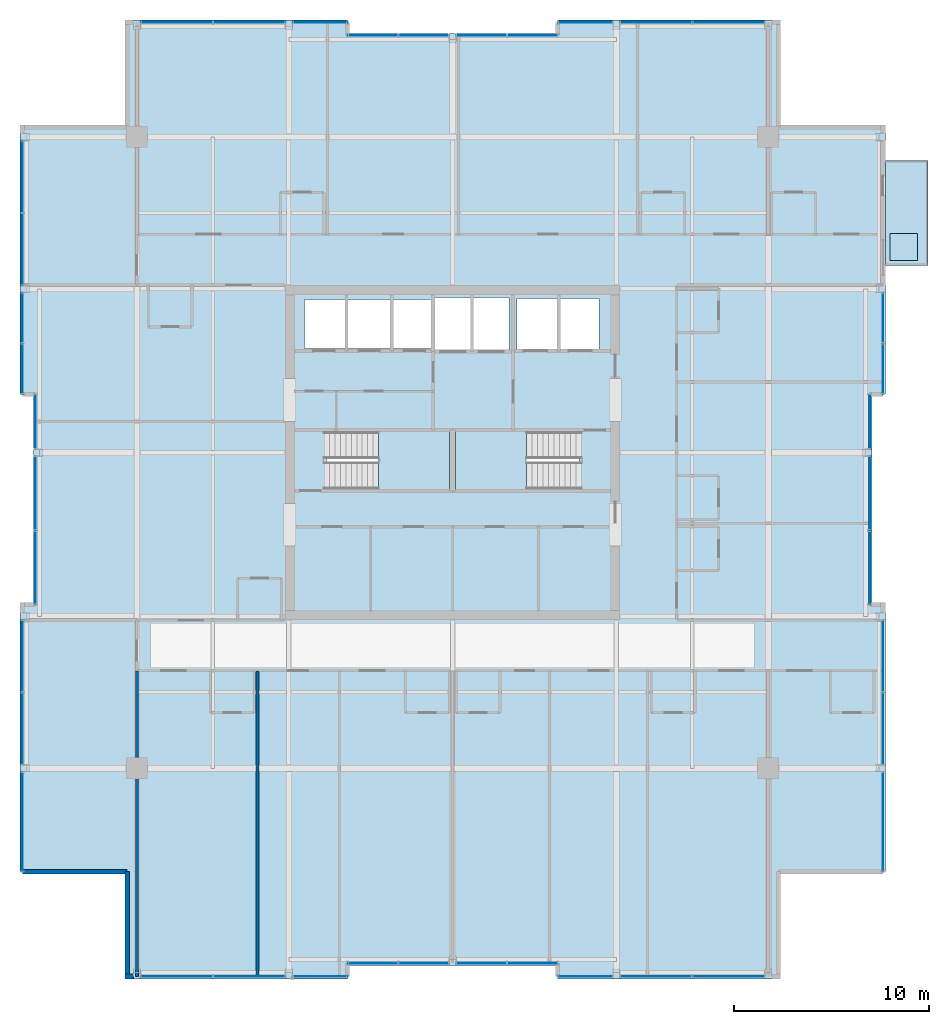
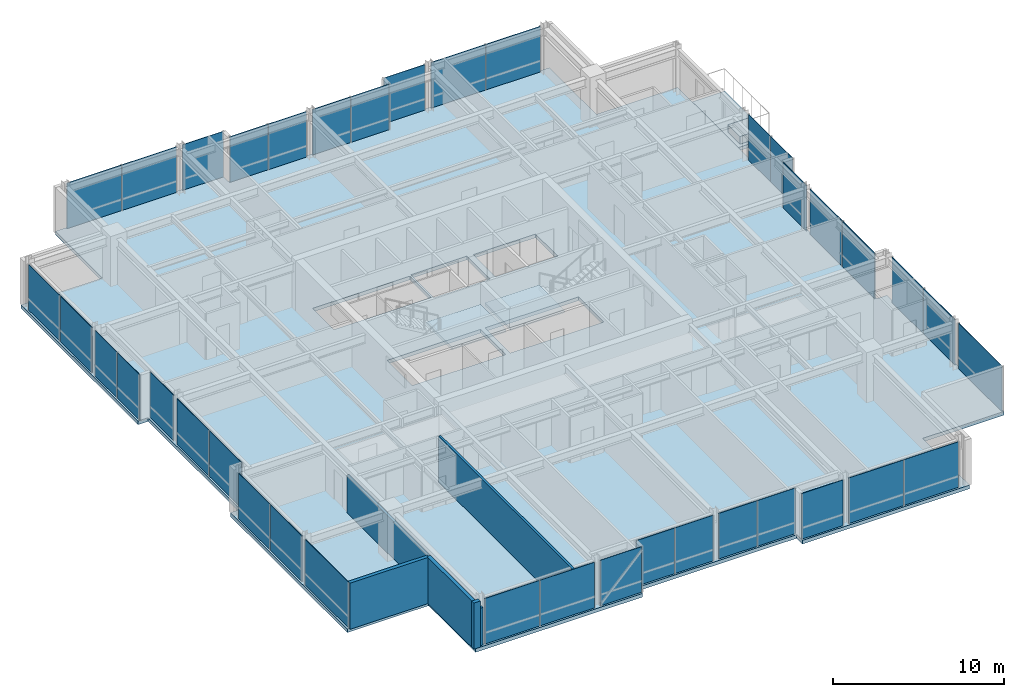
# One storey, part 27 of 34: 38 plates, 5 slabs, 5 walls, 25 elements without a shape of their own.
"""IFC4 building model written with IfcOpenShell, lengths in metres."""

from ifc_helpers import new_model, si_unit, direction, frame, frame_2d, origin, origin_2d, place, context, subcontext, project, spatial, polyline, rectangle, outline, extrude, material, layer, layer_set, type_object, element, aggregate, save


model = new_model("IFC4")

# Units and contexts
model_context = context("Model", 3, precision=1e-05, world=origin(), true_north=direction((0.0, 1.0)))
body_context = subcontext(model_context, "Body", "Model", "MODEL_VIEW")
ifc_project = project(units=[si_unit("LENGTHUNIT", "METRE"), si_unit("AREAUNIT", "SQUARE_METRE"), si_unit("VOLUMEUNIT", "CUBIC_METRE"), si_unit("PLANEANGLEUNIT", "RADIAN"), si_unit("MASSUNIT", "GRAM", prefix="KILO")], contexts=[model_context])

# Site, building, storey
site_placement = place(None, origin())
site = spatial("IfcSite", under=ifc_project, at=site_placement, CompositionType="ELEMENT")
building_placement = place(site_placement, origin())
building = spatial("IfcBuilding", under=site, at=building_placement, Name="Drelvath Grand Hotel", CompositionType="ELEMENT")
storey_placement = place(building_placement, frame((0.0, 0.0, 251.89990234375)))
storey = spatial("IfcBuildingStorey", under=building, at=storey_placement, Name="L66", CompositionType="ELEMENT", Elevation=251.89990234375)

# Slabs
ifc_material_1 = material(Name="Concrete f'c 40 MPa", Category="concrete")
ifc_layer_1 = layer(ifc_material_1, 0.239990234375)
ifc_layer_set_1 = layer_set([ifc_layer_1], Name="Concrete f'c 40 MPa")
slab_type_1 = type_object("IfcSlabType", Name="Cantilevered Tree Balcony Slab 240", PredefinedType="FLOOR", material=ifc_layer_set_1)
slab_1_placement = place(storey_placement, frame((0.0, 0.0, -0.239990234375)))
element("IfcSlab", 1, at=slab_1_placement, inside=storey, type_object=slab_type_1, Name="L66 Cantilevered Tree Balcony Slab 1", PredefinedType="FLOOR", context=body_context, shape_type="SweptSolid", body=[
    extrude(outline(polyline([(22.199951171875, 36.60009765625), (24.39990234375, 36.60009765625), (24.39990234375, 42.0), (22.199951171875, 42.0), (22.199951171875, 36.60009765625)])), origin(), (0.0, 0.0, 1.0), 0.239990234375),
])
ifc_layer_2 = layer(ifc_material_1, 0.260009765625)
ifc_layer_set_2 = layer_set([ifc_layer_2], Name="Concrete f'c 40 MPa")
slab_type_2 = type_object("IfcSlabType", Name="Composite RC Floor Slab 260", PredefinedType="FLOOR", material=ifc_layer_set_2)
slab_2_placement = place(storey_placement, frame((0.0, 0.0, -0.260009765625)))
element("IfcSlab", 2, at=slab_2_placement, inside=storey, type_object=slab_type_2, Name="L66 Structural Floor Slab", PredefinedType="FLOOR", context=body_context, shape_type="SweptSolid", body=[
    extrude(outline(polyline([(-16.699951171875, 0.0), (-5.39990234375, 0.0), (-5.39990234375, 0.679931640625), (5.39990234375, 0.679931640625), (5.39990234375, 0.0), (16.699951171875, 0.0), (16.699951171875, 5.5), (22.199951171875, 5.5), (22.199951171875, 19.199951171875), (21.52001953125, 19.199951171875), (21.52001953125, 30.0), (22.199951171875, 30.0), (22.199951171875, 43.699951171875), (16.699951171875, 43.699951171875), (16.699951171875, 49.199951171875), (5.39990234375, 49.199951171875), (5.39990234375, 48.52001953125), (-5.39990234375, 48.52001953125), (-5.39990234375, 49.199951171875), (-16.699951171875, 49.199951171875), (-16.699951171875, 43.699951171875), (-22.199951171875, 43.699951171875), (-22.199951171875, 30.0), (-21.52001953125, 30.0), (-21.52001953125, 19.199951171875), (-22.199951171875, 19.199951171875), (-22.199951171875, 5.5), (-16.699951171875, 5.5), (-16.699951171875, 0.0)]), holes=[polyline([(-6.47998046875, 25.1201171875), (-6.47998046875, 28.080078125), (-0.14990234375, 28.080078125), (-0.14990234375, 25.1201171875), (-6.47998046875, 25.1201171875)]), polyline([(0.14990234375, 25.1201171875), (0.14990234375, 28.080078125), (6.47998046875, 28.080078125), (6.47998046875, 25.1201171875), (0.14990234375, 25.1201171875)]), polyline([(-7.60009765625, 32.35009765625), (-7.60009765625, 34.85009765625), (-1.02001953125, 34.85009765625), (-1.02001953125, 32.35009765625), (-7.60009765625, 32.35009765625)]), polyline([(-0.89990234375, 32.25), (-0.89990234375, 34.949951171875), (2.89990234375, 34.949951171875), (2.89990234375, 32.25), (-0.89990234375, 32.25)]), polyline([(3.300048828125, 32.300048828125), (3.300048828125, 34.89990234375), (7.5, 34.89990234375), (7.5, 32.300048828125), (3.300048828125, 32.300048828125)])]), origin(), (0.0, 0.0, 1.0), 0.260009765625),
])

# Stair, slab
ifc_material_2 = material(Name="Concrete C40/50", Category="concrete")
stair_type = type_object("IfcStairType", Name="Dogleg Exit Stair W1400-R163.6", PredefinedType="HALF_TURN_STAIR", material=ifc_material_2)
stair_1_placement = place(storey_placement, origin())
stair_1 = element("IfcStair", 3, at=stair_1_placement, inside=storey, type_object=stair_type, Name="L66 Core Exit Stair ST-1", PredefinedType="HALF_TURN_STAIR")
ifc_layer_3 = layer(ifc_material_2, 0.199951171875)
ifc_layer_set_3 = layer_set([ifc_layer_3], Name="Concrete C40/50")
slab_type_3 = type_object("IfcSlabType", Name="Concrete Stair Landing Slab 200", PredefinedType="LANDING", material=ifc_layer_set_3)
slab_3_placement = place(storey_placement, frame((0.0, 0.0, 1.60009765625)))
slab_3 = element("IfcSlab", 4, at=slab_3_placement, type_object=slab_type_3, Name="ST-1 landing 1", PredefinedType="LANDING", context=body_context, shape_type="SweptSolid", body=[
    extrude(outline(polyline([(-3.800048828125, 25.1201171875), (-0.14990234375, 25.1201171875), (-0.14990234375, 28.080078125), (-3.800048828125, 28.080078125), (-3.800048828125, 25.1201171875)])), origin(), (0.0, 0.0, 1.0), 0.199951171875),
])
aggregate(stair_1, [slab_3])

stair_2_placement = place(storey_placement, origin())
stair_2 = element("IfcStair", 5, at=stair_2_placement, inside=storey, type_object=stair_type, Name="L66 Core Exit Stair ST-2", PredefinedType="HALF_TURN_STAIR")
slab_4_placement = place(storey_placement, frame((0.0, 0.0, 1.60009765625)))
slab_4 = element("IfcSlab", 6, at=slab_4_placement, type_object=slab_type_3, Name="ST-2 landing 1", PredefinedType="LANDING", context=body_context, shape_type="SweptSolid", body=[
    extrude(outline(polyline([(3.800048828125, 28.080078125), (0.14990234375, 28.080078125), (0.14990234375, 25.1201171875), (3.800048828125, 25.1201171875), (3.800048828125, 28.080078125)])), origin(), (0.0, 0.0, 1.0), 0.199951171875),
])
aggregate(stair_2, [slab_4])

# Curtain wall, plate
ifc_material_3 = material(Name="Platinum-Mist Anodised Aluminium Frame", Category="aluminium")
ifc_layer_4 = layer(ifc_material_3, 0.199951171875)
ifc_layer_set_4 = layer_set([ifc_layer_4], Name="Platinum-Mist Anodised Aluminium Frame")
curtain_wall_type = type_object("IfcCurtainWallType", Name="Stick Curtain Wall CW-05 Platinum Mist High-Rise", PredefinedType="NOTDEFINED", material=ifc_layer_set_4)
curtain_wall_1_placement = place(storey_placement, origin())
curtain_wall_1 = element("IfcCurtainWall", 7, at=curtain_wall_1_placement, inside=storey, type_object=curtain_wall_type, Name="L66 CW-05 Curtain Wall CW05-L66-WS1", PredefinedType="NOTDEFINED")
ifc_material_4 = material(Name="Low-E Triple Silver High-Altitude Glass", Category="glass")
ifc_layer_5 = layer(ifc_material_4, 0.035888671875)
ifc_layer_set_5 = layer_set([ifc_layer_5], Name="Low-E Triple Silver High-Altitude Glass")
plate_type = type_object("IfcPlateType", Name="Curtain Wall Vision Panel CW-05 36mm", PredefinedType="CURTAIN_PANEL", material=ifc_layer_set_5)
plate_1_placement = place(storey_placement, frame((-22.080078125, 8.060791015625, 0.02001953125), z_axis=(0.0, 0.0, 1.0), x_axis=(0.0, 1.0, 0.0)))
plate_1 = element("IfcPlate", 8, at=plate_1_placement, type_object=plate_type, Name="CW05-L66-WS1 Glazed Panel 1", PredefinedType="CURTAIN_PANEL", context=body_context, shape_type="SweptSolid", body=[
    extrude(rectangle(XDim=5.081787109375, YDim=0.035888671875, at=origin_2d()), origin(), (0.0, 0.0, 1.0), 3.260009765625),
])
aggregate(curtain_wall_1, [plate_1])

# Curtain wall, plates
curtain_wall_2_placement = place(storey_placement, origin())
curtain_wall_2 = element("IfcCurtainWall", 9, at=curtain_wall_2_placement, inside=storey, type_object=curtain_wall_type, Name="L66 CW-05 Curtain Wall CW05-L66-WS2", PredefinedType="NOTDEFINED")
plate_2_placement = place(storey_placement, frame((-22.080078125, 12.839111328125, 0.02001953125), z_axis=(0.0, 0.0, 1.0), x_axis=(0.0, 1.0, 0.0)))
plate_2 = element("IfcPlate", 10, at=plate_2_placement, type_object=plate_type, Name="CW05-L66-WS2 Glazed Panel 1", PredefinedType="CURTAIN_PANEL", context=body_context, shape_type="SweptSolid", body=[
    extrude(rectangle(XDim=3.681884765625, YDim=0.035888671875, at=origin_2d()), origin(), (0.0, 0.0, 1.0), 3.260009765625),
])
plate_3_placement = place(storey_placement, frame((-22.080078125, 16.560791015625, 0.02001953125), z_axis=(0.0, 0.0, 1.0), x_axis=(0.0, 1.0, 0.0)))
plate_3 = element("IfcPlate", 11, at=plate_3_placement, type_object=plate_type, Name="CW05-L66-WS2 Glazed Panel 2", PredefinedType="CURTAIN_PANEL", context=body_context, shape_type="SweptSolid", body=[
    extrude(rectangle(XDim=3.681884765625, YDim=0.035888671875, at=origin_2d()), origin(), (0.0, 0.0, 1.0), 3.260009765625),
])
aggregate(curtain_wall_2, [plate_2, plate_3])

curtain_wall_3_placement = place(storey_placement, origin())
curtain_wall_3 = element("IfcCurtainWall", 12, at=curtain_wall_3_placement, inside=storey, type_object=curtain_wall_type, Name="L66 CW-05 Curtain Wall CW05-L66-WM1", PredefinedType="NOTDEFINED")
plate_4_placement = place(storey_placement, frame((-21.39990234375, 21.10546875, 0.02001953125), z_axis=(0.0, 0.0, 1.0), x_axis=(0.0, 1.0, 0.0)))
plate_4 = element("IfcPlate", 13, at=plate_4_placement, type_object=plate_type, Name="CW05-L66-WM1 Glazed Panel 1", PredefinedType="CURTAIN_PANEL", context=body_context, shape_type="SweptSolid", body=[
    extrude(rectangle(XDim=3.77099609375, YDim=0.035888671875, at=origin_2d()), origin(), (0.0, 0.0, 1.0), 3.260009765625),
])
plate_5_placement = place(storey_placement, frame((-21.39990234375, 24.91650390625, 0.02001953125), z_axis=(0.0, 0.0, 1.0), x_axis=(0.0, 1.0, 0.0)))
plate_5 = element("IfcPlate", 14, at=plate_5_placement, type_object=plate_type, Name="CW05-L66-WM1 Glazed Panel 2", PredefinedType="CURTAIN_PANEL", context=body_context, shape_type="SweptSolid", body=[
    extrude(rectangle(XDim=3.77099609375, YDim=0.035888671875, at=origin_2d()), origin(), (0.0, 0.0, 1.0), 3.260009765625),
])
aggregate(curtain_wall_3, [plate_4, plate_5])

# Curtain wall, plate
curtain_wall_4_placement = place(storey_placement, origin())
curtain_wall_4 = element("IfcCurtainWall", 15, at=curtain_wall_4_placement, inside=storey, type_object=curtain_wall_type, Name="L66 CW-05 Curtain Wall CW05-L66-WM2", PredefinedType="NOTDEFINED")
plate_6_placement = place(storey_placement, frame((-21.39990234375, 28.589111328125, 0.02001953125), z_axis=(0.0, 0.0, 1.0), x_axis=(0.0, 1.0, 0.0)))
plate_6 = element("IfcPlate", 16, at=plate_6_placement, type_object=plate_type, Name="CW05-L66-WM2 Glazed Panel 1", PredefinedType="CURTAIN_PANEL", context=body_context, shape_type="SweptSolid", body=[
    extrude(rectangle(XDim=2.78173828125, YDim=0.035888671875, at=origin_2d()), origin(), (0.0, 0.0, 1.0), 3.260009765625),
])
aggregate(curtain_wall_4, [plate_6])

# Curtain wall, plates
curtain_wall_5_placement = place(storey_placement, origin())
curtain_wall_5 = element("IfcCurtainWall", 17, at=curtain_wall_5_placement, inside=storey, type_object=curtain_wall_type, Name="L66 CW-05 Curtain Wall CW05-L66-WN1", PredefinedType="NOTDEFINED")
plate_7_placement = place(storey_placement, frame((-22.080078125, 31.305419921875, 0.02001953125), z_axis=(0.0, 0.0, 1.0), x_axis=(0.0, 1.0, 0.0)))
plate_7 = element("IfcPlate", 18, at=plate_7_placement, type_object=plate_type, Name="CW05-L66-WN1 Glazed Panel 1", PredefinedType="CURTAIN_PANEL", context=body_context, shape_type="SweptSolid", body=[
    extrude(rectangle(XDim=2.57080078125, YDim=0.035888671875, at=origin_2d()), origin(), (0.0, 0.0, 1.0), 3.260009765625),
])
plate_8_placement = place(storey_placement, frame((-22.080078125, 33.91650390625, 0.02001953125), z_axis=(0.0, 0.0, 1.0), x_axis=(0.0, 1.0, 0.0)))
plate_8 = element("IfcPlate", 19, at=plate_8_placement, type_object=plate_type, Name="CW05-L66-WN1 Glazed Panel 2", PredefinedType="CURTAIN_PANEL", context=body_context, shape_type="SweptSolid", body=[
    extrude(rectangle(XDim=2.57080078125, YDim=0.035888671875, at=origin_2d()), origin(), (0.0, 0.0, 1.0), 3.260009765625),
])
aggregate(curtain_wall_5, [plate_7, plate_8])

curtain_wall_6_placement = place(storey_placement, origin())
curtain_wall_6 = element("IfcCurtainWall", 20, at=curtain_wall_6_placement, inside=storey, type_object=curtain_wall_type, Name="L66 CW-05 Curtain Wall CW05-L66-WN2", PredefinedType="NOTDEFINED")
plate_9_placement = place(storey_placement, frame((-22.080078125, 37.439208984375, 0.02001953125), z_axis=(0.0, 0.0, 1.0), x_axis=(0.0, 1.0, 0.0)))
plate_9 = element("IfcPlate", 21, at=plate_9_placement, type_object=plate_type, Name="CW05-L66-WN2 Glazed Panel 1", PredefinedType="CURTAIN_PANEL", context=body_context, shape_type="SweptSolid", body=[
    extrude(rectangle(XDim=3.681884765625, YDim=0.035888671875, at=origin_2d()), origin(), (0.0, 0.0, 1.0), 3.260009765625),
])
plate_10_placement = place(storey_placement, frame((-22.080078125, 41.160888671875, 0.02001953125), z_axis=(0.0, 0.0, 1.0), x_axis=(0.0, 1.0, 0.0)))
plate_10 = element("IfcPlate", 22, at=plate_10_placement, type_object=plate_type, Name="CW05-L66-WN2 Glazed Panel 2", PredefinedType="CURTAIN_PANEL", context=body_context, shape_type="SweptSolid", body=[
    extrude(rectangle(XDim=3.681884765625, YDim=0.035888671875, at=origin_2d()), origin(), (0.0, 0.0, 1.0), 3.260009765625),
])
aggregate(curtain_wall_6, [plate_9, plate_10])

curtain_wall_7_placement = place(storey_placement, origin())
curtain_wall_7 = element("IfcCurtainWall", 23, at=curtain_wall_7_placement, inside=storey, type_object=curtain_wall_type, Name="L66 CW-05 Curtain Wall CW05-L66-EN1", PredefinedType="NOTDEFINED")
plate_11_placement = place(storey_placement, frame((22.080078125, 33.91650390625, 0.02001953125), z_axis=(0.0, 0.0, 1.0), x_axis=(0.0, -1.0, 0.0)))
plate_11 = element("IfcPlate", 24, at=plate_11_placement, type_object=plate_type, Name="CW05-L66-EN1 Glazed Panel 1", PredefinedType="CURTAIN_PANEL", context=body_context, shape_type="SweptSolid", body=[
    extrude(rectangle(XDim=2.57080078125, YDim=0.035888671875, at=origin_2d()), origin(), (0.0, 0.0, 1.0), 3.260009765625),
])
plate_12_placement = place(storey_placement, frame((22.080078125, 31.305419921875, 0.02001953125), z_axis=(0.0, 0.0, 1.0), x_axis=(0.0, -1.0, 0.0)))
plate_12 = element("IfcPlate", 25, at=plate_12_placement, type_object=plate_type, Name="CW05-L66-EN1 Glazed Panel 2", PredefinedType="CURTAIN_PANEL", context=body_context, shape_type="SweptSolid", body=[
    extrude(rectangle(XDim=2.57080078125, YDim=0.035888671875, at=origin_2d()), origin(), (0.0, 0.0, 1.0), 3.260009765625),
])
aggregate(curtain_wall_7, [plate_11, plate_12])

curtain_wall_8_placement = place(storey_placement, origin())
curtain_wall_8 = element("IfcCurtainWall", 26, at=curtain_wall_8_placement, inside=storey, type_object=curtain_wall_type, Name="L66 CW-05 Curtain Wall CW05-L66-EM1", PredefinedType="NOTDEFINED")
plate_13_placement = place(storey_placement, frame((21.39990234375, 24.91650390625, 0.02001953125), z_axis=(0.0, 0.0, 1.0), x_axis=(0.0, -1.0, 0.0)))
plate_13 = element("IfcPlate", 27, at=plate_13_placement, type_object=plate_type, Name="CW05-L66-EM1 Glazed Panel 1", PredefinedType="CURTAIN_PANEL", context=body_context, shape_type="SweptSolid", body=[
    extrude(rectangle(XDim=3.77099609375, YDim=0.035888671875, at=origin_2d()), origin(), (0.0, 0.0, 1.0), 3.260009765625),
])
plate_14_placement = place(storey_placement, frame((21.39990234375, 21.10546875, 0.02001953125), z_axis=(0.0, 0.0, 1.0), x_axis=(0.0, -1.0, 0.0)))
plate_14 = element("IfcPlate", 28, at=plate_14_placement, type_object=plate_type, Name="CW05-L66-EM1 Glazed Panel 2", PredefinedType="CURTAIN_PANEL", context=body_context, shape_type="SweptSolid", body=[
    extrude(rectangle(XDim=3.77099609375, YDim=0.035888671875, at=origin_2d()), origin(), (0.0, 0.0, 1.0), 3.260009765625),
])
aggregate(curtain_wall_8, [plate_13, plate_14])

# Curtain wall, plate
curtain_wall_9_placement = place(storey_placement, origin())
curtain_wall_9 = element("IfcCurtainWall", 29, at=curtain_wall_9_placement, inside=storey, type_object=curtain_wall_type, Name="L66 CW-05 Curtain Wall CW05-L66-EM2", PredefinedType="NOTDEFINED")
plate_15_placement = place(storey_placement, frame((21.39990234375, 28.589111328125, 0.02001953125), z_axis=(0.0, 0.0, 1.0), x_axis=(0.0, -1.0, 0.0)))
plate_15 = element("IfcPlate", 30, at=plate_15_placement, type_object=plate_type, Name="CW05-L66-EM2 Glazed Panel 1", PredefinedType="CURTAIN_PANEL", context=body_context, shape_type="SweptSolid", body=[
    extrude(rectangle(XDim=2.78173828125, YDim=0.035888671875, at=origin_2d()), origin(), (0.0, 0.0, 1.0), 3.260009765625),
])
aggregate(curtain_wall_9, [plate_15])

curtain_wall_10_placement = place(storey_placement, origin())
curtain_wall_10 = element("IfcCurtainWall", 31, at=curtain_wall_10_placement, inside=storey, type_object=curtain_wall_type, Name="L66 CW-05 Curtain Wall CW05-L66-ES1", PredefinedType="NOTDEFINED")
plate_16_placement = place(storey_placement, frame((22.080078125, 8.060791015625, 0.02001953125), z_axis=(0.0, 0.0, 1.0), x_axis=(0.0, -1.0, 0.0)))
plate_16 = element("IfcPlate", 32, at=plate_16_placement, type_object=plate_type, Name="CW05-L66-ES1 Glazed Panel 1", PredefinedType="CURTAIN_PANEL", context=body_context, shape_type="SweptSolid", body=[
    extrude(rectangle(XDim=5.081787109375, YDim=0.035888671875, at=origin_2d()), origin(), (0.0, 0.0, 1.0), 3.260009765625),
])
aggregate(curtain_wall_10, [plate_16])

# Curtain wall, plates
curtain_wall_11_placement = place(storey_placement, origin())
curtain_wall_11 = element("IfcCurtainWall", 33, at=curtain_wall_11_placement, inside=storey, type_object=curtain_wall_type, Name="L66 CW-05 Curtain Wall CW05-L66-ES2", PredefinedType="NOTDEFINED")
plate_17_placement = place(storey_placement, frame((22.080078125, 16.560791015625, 0.02001953125), z_axis=(0.0, 0.0, 1.0), x_axis=(0.0, -1.0, 0.0)))
plate_17 = element("IfcPlate", 34, at=plate_17_placement, type_object=plate_type, Name="CW05-L66-ES2 Glazed Panel 1", PredefinedType="CURTAIN_PANEL", context=body_context, shape_type="SweptSolid", body=[
    extrude(rectangle(XDim=3.681884765625, YDim=0.035888671875, at=origin_2d()), origin(), (0.0, 0.0, 1.0), 3.260009765625),
])
plate_18_placement = place(storey_placement, frame((22.080078125, 12.839111328125, 0.02001953125), z_axis=(0.0, 0.0, 1.0), x_axis=(0.0, -1.0, 0.0)))
plate_18 = element("IfcPlate", 35, at=plate_18_placement, type_object=plate_type, Name="CW05-L66-ES2 Glazed Panel 2", PredefinedType="CURTAIN_PANEL", context=body_context, shape_type="SweptSolid", body=[
    extrude(rectangle(XDim=3.681884765625, YDim=0.035888671875, at=origin_2d()), origin(), (0.0, 0.0, 1.0), 3.260009765625),
])
aggregate(curtain_wall_11, [plate_17, plate_18])

curtain_wall_12_placement = place(storey_placement, origin())
curtain_wall_12 = element("IfcCurtainWall", 36, at=curtain_wall_12_placement, inside=storey, type_object=curtain_wall_type, Name="L66 CW-05 Curtain Wall CW05-L66-NW2", PredefinedType="NOTDEFINED")
plate_19_placement = place(storey_placement, frame((-14.160888671875, 49.080078125, 0.02001953125), z_axis=(0.0, 0.0, 1.0), x_axis=(1.0, 0.0, 0.0)))
plate_19 = element("IfcPlate", 37, at=plate_19_placement, type_object=plate_type, Name="CW05-L66-NW2 Glazed Panel 1", PredefinedType="CURTAIN_PANEL", context=body_context, shape_type="SweptSolid", body=[
    extrude(rectangle(XDim=3.681884765625, YDim=0.035888671875, at=origin_2d()), origin(), (0.0, 0.0, 1.0), 3.260009765625),
])
plate_20_placement = place(storey_placement, frame((-10.439208984375, 49.080078125, 0.02001953125), z_axis=(0.0, 0.0, 1.0), x_axis=(1.0, 0.0, 0.0)))
plate_20 = element("IfcPlate", 38, at=plate_20_placement, type_object=plate_type, Name="CW05-L66-NW2 Glazed Panel 2", PredefinedType="CURTAIN_PANEL", context=body_context, shape_type="SweptSolid", body=[
    extrude(rectangle(XDim=3.681884765625, YDim=0.035888671875, at=origin_2d()), origin(), (0.0, 0.0, 1.0), 3.260009765625),
])
aggregate(curtain_wall_12, [plate_19, plate_20])

# Curtain wall, plate
curtain_wall_13_placement = place(storey_placement, origin())
curtain_wall_13 = element("IfcCurtainWall", 39, at=curtain_wall_13_placement, inside=storey, type_object=curtain_wall_type, Name="L66 CW-05 Curtain Wall CW05-L66-NW3", PredefinedType="NOTDEFINED")
plate_21_placement = place(storey_placement, frame((-6.810791015625, 49.080078125, 0.02001953125), z_axis=(0.0, 0.0, 1.0), x_axis=(1.0, 0.0, 0.0)))
plate_21 = element("IfcPlate", 40, at=plate_21_placement, type_object=plate_type, Name="CW05-L66-NW3 Glazed Panel 1", PredefinedType="CURTAIN_PANEL", context=body_context, shape_type="SweptSolid", body=[
    extrude(rectangle(XDim=2.78173828125, YDim=0.035888671875, at=origin_2d()), origin(), (0.0, 0.0, 1.0), 3.260009765625),
])
aggregate(curtain_wall_13, [plate_21])

# Curtain wall, plates
curtain_wall_14_placement = place(storey_placement, origin())
curtain_wall_14 = element("IfcCurtainWall", 41, at=curtain_wall_14_placement, inside=storey, type_object=curtain_wall_type, Name="L66 CW-05 Curtain Wall CW05-L66-NM1", PredefinedType="NOTDEFINED")
plate_22_placement = place(storey_placement, frame((-4.094482421875, 48.39990234375, 0.02001953125), z_axis=(0.0, 0.0, 1.0), x_axis=(1.0, 0.0, 0.0)))
plate_22 = element("IfcPlate", 42, at=plate_22_placement, type_object=plate_type, Name="CW05-L66-NM1 Glazed Panel 1", PredefinedType="CURTAIN_PANEL", context=body_context, shape_type="SweptSolid", body=[
    extrude(rectangle(XDim=2.57080078125, YDim=0.035888671875, at=origin_2d()), origin(), (0.0, 0.0, 1.0), 3.260009765625),
])
plate_23_placement = place(storey_placement, frame((-1.483642578125, 48.39990234375, 0.02001953125), z_axis=(0.0, 0.0, 1.0), x_axis=(1.0, 0.0, 0.0)))
plate_23 = element("IfcPlate", 43, at=plate_23_placement, type_object=plate_type, Name="CW05-L66-NM1 Glazed Panel 2", PredefinedType="CURTAIN_PANEL", context=body_context, shape_type="SweptSolid", body=[
    extrude(rectangle(XDim=2.57080078125, YDim=0.035888671875, at=origin_2d()), origin(), (0.0, 0.0, 1.0), 3.260009765625),
])
aggregate(curtain_wall_14, [plate_22, plate_23])

curtain_wall_15_placement = place(storey_placement, origin())
curtain_wall_15 = element("IfcCurtainWall", 44, at=curtain_wall_15_placement, inside=storey, type_object=curtain_wall_type, Name="L66 CW-05 Curtain Wall CW05-L66-NM2", PredefinedType="NOTDEFINED")
plate_24_placement = place(storey_placement, frame((1.483642578125, 48.39990234375, 0.02001953125), z_axis=(0.0, 0.0, 1.0), x_axis=(1.0, 0.0, 0.0)))
plate_24 = element("IfcPlate", 45, at=plate_24_placement, type_object=plate_type, Name="CW05-L66-NM2 Glazed Panel 1", PredefinedType="CURTAIN_PANEL", context=body_context, shape_type="SweptSolid", body=[
    extrude(rectangle(XDim=2.57080078125, YDim=0.035888671875, at=origin_2d()), origin(), (0.0, 0.0, 1.0), 3.260009765625),
])
plate_25_placement = place(storey_placement, frame((4.094482421875, 48.39990234375, 0.02001953125), z_axis=(0.0, 0.0, 1.0), x_axis=(1.0, 0.0, 0.0)))
plate_25 = element("IfcPlate", 46, at=plate_25_placement, type_object=plate_type, Name="CW05-L66-NM2 Glazed Panel 2", PredefinedType="CURTAIN_PANEL", context=body_context, shape_type="SweptSolid", body=[
    extrude(rectangle(XDim=2.57080078125, YDim=0.035888671875, at=origin_2d()), origin(), (0.0, 0.0, 1.0), 3.260009765625),
])
aggregate(curtain_wall_15, [plate_24, plate_25])

# Curtain wall, plate
curtain_wall_16_placement = place(storey_placement, origin())
curtain_wall_16 = element("IfcCurtainWall", 47, at=curtain_wall_16_placement, inside=storey, type_object=curtain_wall_type, Name="L66 CW-05 Curtain Wall CW05-L66-NE1", PredefinedType="NOTDEFINED")
plate_26_placement = place(storey_placement, frame((6.810791015625, 49.080078125, 0.02001953125), z_axis=(0.0, 0.0, 1.0), x_axis=(1.0, 0.0, 0.0)))
plate_26 = element("IfcPlate", 48, at=plate_26_placement, type_object=plate_type, Name="CW05-L66-NE1 Glazed Panel 1", PredefinedType="CURTAIN_PANEL", context=body_context, shape_type="SweptSolid", body=[
    extrude(rectangle(XDim=2.78173828125, YDim=0.035888671875, at=origin_2d()), origin(), (0.0, 0.0, 1.0), 3.260009765625),
])
aggregate(curtain_wall_16, [plate_26])

# Curtain wall, plates
curtain_wall_17_placement = place(storey_placement, origin())
curtain_wall_17 = element("IfcCurtainWall", 49, at=curtain_wall_17_placement, inside=storey, type_object=curtain_wall_type, Name="L66 CW-05 Curtain Wall CW05-L66-NE2", PredefinedType="NOTDEFINED")
plate_27_placement = place(storey_placement, frame((10.439208984375, 49.080078125, 0.02001953125), z_axis=(0.0, 0.0, 1.0), x_axis=(1.0, 0.0, 0.0)))
plate_27 = element("IfcPlate", 50, at=plate_27_placement, type_object=plate_type, Name="CW05-L66-NE2 Glazed Panel 1", PredefinedType="CURTAIN_PANEL", context=body_context, shape_type="SweptSolid", body=[
    extrude(rectangle(XDim=3.681884765625, YDim=0.035888671875, at=origin_2d()), origin(), (0.0, 0.0, 1.0), 3.260009765625),
])
plate_28_placement = place(storey_placement, frame((14.160888671875, 49.080078125, 0.02001953125), z_axis=(0.0, 0.0, 1.0), x_axis=(1.0, 0.0, 0.0)))
plate_28 = element("IfcPlate", 51, at=plate_28_placement, type_object=plate_type, Name="CW05-L66-NE2 Glazed Panel 2", PredefinedType="CURTAIN_PANEL", context=body_context, shape_type="SweptSolid", body=[
    extrude(rectangle(XDim=3.681884765625, YDim=0.035888671875, at=origin_2d()), origin(), (0.0, 0.0, 1.0), 3.260009765625),
])
aggregate(curtain_wall_17, [plate_27, plate_28])

# Curtain wall, plate
curtain_wall_18_placement = place(storey_placement, origin())
curtain_wall_18 = element("IfcCurtainWall", 52, at=curtain_wall_18_placement, inside=storey, type_object=curtain_wall_type, Name="L66 CW-05 Curtain Wall CW05-L66-SE1", PredefinedType="NOTDEFINED")
plate_29_placement = place(storey_placement, frame((6.810791015625, 0.1201171875, 0.02001953125), z_axis=(0.0, 0.0, 1.0), x_axis=(-1.0, 0.0, 0.0)))
plate_29 = element("IfcPlate", 53, at=plate_29_placement, type_object=plate_type, Name="CW05-L66-SE1 Glazed Panel 1", PredefinedType="CURTAIN_PANEL", context=body_context, shape_type="SweptSolid", body=[
    extrude(rectangle(XDim=2.78173828125, YDim=0.035888671875, at=origin_2d()), origin(), (0.0, 0.0, 1.0), 3.260009765625),
])
aggregate(curtain_wall_18, [plate_29])

# Curtain wall, plates
curtain_wall_19_placement = place(storey_placement, origin())
curtain_wall_19 = element("IfcCurtainWall", 54, at=curtain_wall_19_placement, inside=storey, type_object=curtain_wall_type, Name="L66 CW-05 Curtain Wall CW05-L66-SE2", PredefinedType="NOTDEFINED")
plate_30_placement = place(storey_placement, frame((14.160888671875, 0.1201171875, 0.02001953125), z_axis=(0.0, 0.0, 1.0), x_axis=(-1.0, 0.0, 0.0)))
plate_30 = element("IfcPlate", 55, at=plate_30_placement, type_object=plate_type, Name="CW05-L66-SE2 Glazed Panel 1", PredefinedType="CURTAIN_PANEL", context=body_context, shape_type="SweptSolid", body=[
    extrude(rectangle(XDim=3.681884765625, YDim=0.035888671875, at=origin_2d()), origin(), (0.0, 0.0, 1.0), 3.260009765625),
])
plate_31_placement = place(storey_placement, frame((10.439208984375, 0.1201171875, 0.02001953125), z_axis=(0.0, 0.0, 1.0), x_axis=(-1.0, 0.0, 0.0)))
plate_31 = element("IfcPlate", 56, at=plate_31_placement, type_object=plate_type, Name="CW05-L66-SE2 Glazed Panel 2", PredefinedType="CURTAIN_PANEL", context=body_context, shape_type="SweptSolid", body=[
    extrude(rectangle(XDim=3.681884765625, YDim=0.035888671875, at=origin_2d()), origin(), (0.0, 0.0, 1.0), 3.260009765625),
])
aggregate(curtain_wall_19, [plate_30, plate_31])

curtain_wall_20_placement = place(storey_placement, origin())
curtain_wall_20 = element("IfcCurtainWall", 57, at=curtain_wall_20_placement, inside=storey, type_object=curtain_wall_type, Name="L66 CW-05 Curtain Wall CW05-L66-SM1", PredefinedType="NOTDEFINED")
plate_32_placement = place(storey_placement, frame((-1.483642578125, 0.800048828125, 0.02001953125), z_axis=(0.0, 0.0, 1.0), x_axis=(-1.0, 0.0, 0.0)))
plate_32 = element("IfcPlate", 58, at=plate_32_placement, type_object=plate_type, Name="CW05-L66-SM1 Glazed Panel 1", PredefinedType="CURTAIN_PANEL", context=body_context, shape_type="SweptSolid", body=[
    extrude(rectangle(XDim=2.57080078125, YDim=0.035888671875, at=origin_2d()), origin(), (0.0, 0.0, 1.0), 3.260009765625),
])
plate_33_placement = place(storey_placement, frame((-4.094482421875, 0.800048828125, 0.02001953125), z_axis=(0.0, 0.0, 1.0), x_axis=(-1.0, 0.0, 0.0)))
plate_33 = element("IfcPlate", 59, at=plate_33_placement, type_object=plate_type, Name="CW05-L66-SM1 Glazed Panel 2", PredefinedType="CURTAIN_PANEL", context=body_context, shape_type="SweptSolid", body=[
    extrude(rectangle(XDim=2.57080078125, YDim=0.035888671875, at=origin_2d()), origin(), (0.0, 0.0, 1.0), 3.260009765625),
])
aggregate(curtain_wall_20, [plate_32, plate_33])

curtain_wall_21_placement = place(storey_placement, origin())
curtain_wall_21 = element("IfcCurtainWall", 60, at=curtain_wall_21_placement, inside=storey, type_object=curtain_wall_type, Name="L66 CW-05 Curtain Wall CW05-L66-SM2", PredefinedType="NOTDEFINED")
plate_34_placement = place(storey_placement, frame((4.094482421875, 0.800048828125, 0.02001953125), z_axis=(0.0, 0.0, 1.0), x_axis=(-1.0, 0.0, 0.0)))
plate_34 = element("IfcPlate", 61, at=plate_34_placement, type_object=plate_type, Name="CW05-L66-SM2 Glazed Panel 1", PredefinedType="CURTAIN_PANEL", context=body_context, shape_type="SweptSolid", body=[
    extrude(rectangle(XDim=2.57080078125, YDim=0.035888671875, at=origin_2d()), origin(), (0.0, 0.0, 1.0), 3.260009765625),
])
plate_35_placement = place(storey_placement, frame((1.483642578125, 0.800048828125, 0.02001953125), z_axis=(0.0, 0.0, 1.0), x_axis=(-1.0, 0.0, 0.0)))
plate_35 = element("IfcPlate", 62, at=plate_35_placement, type_object=plate_type, Name="CW05-L66-SM2 Glazed Panel 2", PredefinedType="CURTAIN_PANEL", context=body_context, shape_type="SweptSolid", body=[
    extrude(rectangle(XDim=2.57080078125, YDim=0.035888671875, at=origin_2d()), origin(), (0.0, 0.0, 1.0), 3.260009765625),
])
aggregate(curtain_wall_21, [plate_34, plate_35])

curtain_wall_22_placement = place(storey_placement, origin())
curtain_wall_22 = element("IfcCurtainWall", 63, at=curtain_wall_22_placement, inside=storey, type_object=curtain_wall_type, Name="L66 CW-05 Curtain Wall CW05-L66-SW2", PredefinedType="NOTDEFINED")
plate_36_placement = place(storey_placement, frame((-10.439208984375, 0.1201171875, 0.02001953125), z_axis=(0.0, 0.0, 1.0), x_axis=(-1.0, 0.0, 0.0)))
plate_36 = element("IfcPlate", 64, at=plate_36_placement, type_object=plate_type, Name="CW05-L66-SW2 Glazed Panel 1", PredefinedType="CURTAIN_PANEL", context=body_context, shape_type="SweptSolid", body=[
    extrude(rectangle(XDim=3.681884765625, YDim=0.035888671875, at=origin_2d()), origin(), (0.0, 0.0, 1.0), 3.260009765625),
])
plate_37_placement = place(storey_placement, frame((-14.160888671875, 0.1201171875, 0.02001953125), z_axis=(0.0, 0.0, 1.0), x_axis=(-1.0, 0.0, 0.0)))
plate_37 = element("IfcPlate", 65, at=plate_37_placement, type_object=plate_type, Name="CW05-L66-SW2 Glazed Panel 2", PredefinedType="CURTAIN_PANEL", context=body_context, shape_type="SweptSolid", body=[
    extrude(rectangle(XDim=3.681884765625, YDim=0.035888671875, at=origin_2d()), origin(), (0.0, 0.0, 1.0), 3.260009765625),
])
aggregate(curtain_wall_22, [plate_36, plate_37])

# Curtain wall, plate
curtain_wall_23_placement = place(storey_placement, origin())
curtain_wall_23 = element("IfcCurtainWall", 66, at=curtain_wall_23_placement, inside=storey, type_object=curtain_wall_type, Name="L66 CW-05 Curtain Wall CW05-L66-SW3", PredefinedType="NOTDEFINED")
plate_38_placement = place(storey_placement, frame((-6.810791015625, 0.1201171875, 0.02001953125), z_axis=(0.0, 0.0, 1.0), x_axis=(-1.0, 0.0, 0.0)))
plate_38 = element("IfcPlate", 67, at=plate_38_placement, type_object=plate_type, Name="CW05-L66-SW3 Glazed Panel 1", PredefinedType="CURTAIN_PANEL", context=body_context, shape_type="SweptSolid", body=[
    extrude(rectangle(XDim=2.78173828125, YDim=0.035888671875, at=origin_2d()), origin(), (0.0, 0.0, 1.0), 3.260009765625),
])
aggregate(curtain_wall_23, [plate_38])

# Slab
ifc_layer_6 = layer(ifc_material_1, 0.550048828125)
ifc_layer_set_6 = layer_set([ifc_layer_6], Name="Concrete f'c 40 MPa")
slab_type_4 = type_object("IfcSlabType", Name="Structural Tree Planter Box 550", PredefinedType="USERDEFINED", material=ifc_layer_set_6)
slab_5_placement = place(storey_placement, origin())
element("IfcSlab", 68, at=slab_5_placement, inside=storey, type_object=slab_type_4, Name="L66 Tree Balcony Structural Planter 1", ObjectType="PLANTER", PredefinedType="USERDEFINED", context=body_context, shape_type="SweptSolid", body=[
    extrude(outline(polyline([(22.449951171875, 36.85009765625), (23.85009765625, 36.85009765625), (23.85009765625, 38.25), (22.449951171875, 38.25), (22.449951171875, 36.85009765625)])), origin(), (0.0, 0.0, 1.0), 0.550048828125),
])

# Walls
ifc_material_5 = material(Name="Gypsum Acoustic Partition")
ifc_layer_7 = layer(ifc_material_5, 0.14990234375)
ifc_layer_set_7 = layer_set([ifc_layer_7], Name="Gypsum Acoustic Partition")
wall_type_1 = type_object("IfcWallType", Name="Guestroom Demising Wall 150", PredefinedType="PARTITIONING", material=ifc_layer_set_7)
wall_1_placement = place(storey_placement, frame((-10.005859375, 0.1201171875, 0.0), z_axis=(0.0, 0.0, 1.0), x_axis=(0.0, 1.0, 0.0)))
element("IfcWall", 69, at=wall_1_placement, inside=storey, type_object=wall_type_1, Name="L66 South Demising 1", PredefinedType="PARTITIONING", context=body_context, shape_type="SweptSolid", body=[
    extrude(rectangle(XDim=15.679931640625, YDim=0.14990234375, at=frame_2d((7.83984375, 0.0))), origin(), (0.0, 0.0, 1.0), 3.300048828125),
])
ifc_layer_8 = layer(ifc_material_5, 0.1650390625)
ifc_layer_set_8 = layer_set([ifc_layer_8], Name="Gypsum Acoustic Partition")
wall_type_2 = type_object("IfcWallType", Name="Suite Demising Wall 165", PredefinedType="PARTITIONING", material=ifc_layer_set_8)
wall_2_placement = place(storey_placement, frame((-16.199951171875, 0.1201171875, 0.0), z_axis=(0.0, 0.0, 1.0), x_axis=(0.0, 1.0, 0.0)))
element("IfcWall", 70, at=wall_2_placement, inside=storey, type_object=wall_type_2, Name="L66 SW Suite Wall", PredefinedType="PARTITIONING", context=body_context, shape_type="SweptSolid", body=[
    extrude(rectangle(XDim=15.679931640625, YDim=0.1650390625, at=frame_2d((7.83984375, 0.0))), origin(), (0.0, 0.0, 1.0), 2.673828125),
])
ifc_material_6 = material(Name="Pale-Metal Insulated Aluminium Spandrel Assembly", Category="aluminium")
ifc_layer_9 = layer(ifc_material_6, 0.239990234375)
ifc_layer_set_9 = layer_set([ifc_layer_9], Name="Pale-Metal Insulated Aluminium Spandrel Assembly")
wall_type_3 = type_object("IfcWallType", Name="Tower Insulated Metal Spandrel Closure Wall 240", PredefinedType="STANDARD", material=ifc_layer_set_9)
wall_3_placement = place(storey_placement, frame((-16.378173828125, 0.1201171875, 0.0), z_axis=(0.0, 0.0, 1.0), x_axis=(-1.0, 0.0, 0.0)))
element("IfcWall", 71, at=wall_3_placement, inside=storey, type_object=wall_type_3, Name="L66 Corner Pier Spandrel Wall SW1", PredefinedType="STANDARD", context=body_context, shape_type="SweptSolid", body=[
    extrude(rectangle(XDim=0.44189453125, YDim=0.239990234375, at=frame_2d((0.220947265625, 0.0))), origin(), (0.0, 0.0, 1.0), 3.300048828125),
])
wall_4_placement = place(storey_placement, frame((-16.699951171875, 0.239990234375, 0.0), z_axis=(0.0, 0.0, 1.0), x_axis=(0.0, 1.0, 0.0)))
element("IfcWall", 72, at=wall_4_placement, inside=storey, type_object=wall_type_3, Name="L66 Notched Corner Return Spandrel Wall CSW1", PredefinedType="STANDARD", context=body_context, shape_type="SweptSolid", body=[
    extrude(rectangle(XDim=5.260009765625, YDim=0.239990234375, at=frame_2d((2.6298828125, 0.0))), origin(), (0.0, 0.0, 1.0), 3.300048828125),
])
wall_5_placement = place(storey_placement, frame((-16.699951171875, 5.5, 0.0), z_axis=(0.0, 0.0, 1.0), x_axis=(-1.0, 0.0, 0.0)))
element("IfcWall", 73, at=wall_5_placement, inside=storey, type_object=wall_type_3, Name="L66 Notched Corner Return Spandrel Wall CSW2", PredefinedType="STANDARD", context=body_context, shape_type="SweptSolid", body=[
    extrude(rectangle(XDim=5.380126953125, YDim=0.239990234375, at=frame_2d((2.68994140625, 0.0))), origin(), (0.0, 0.0, 1.0), 3.300048828125),
])

save(model, "model.ifc")
